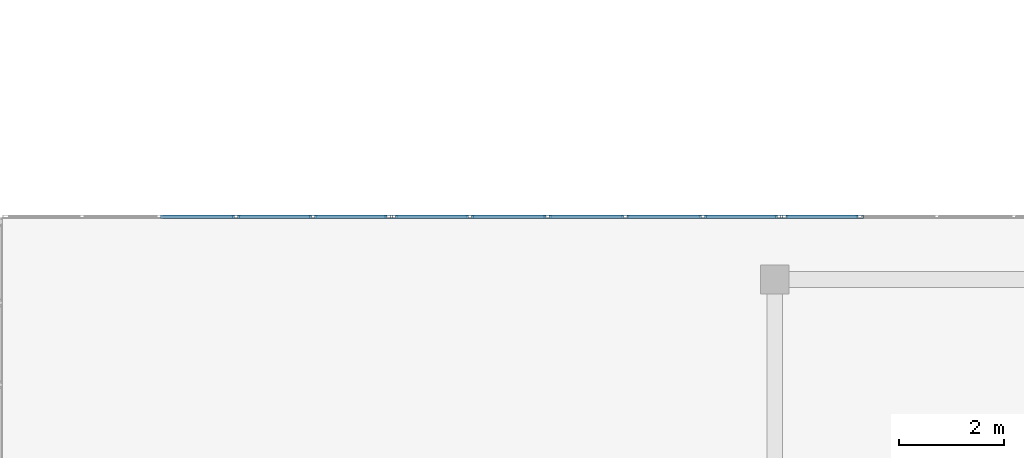
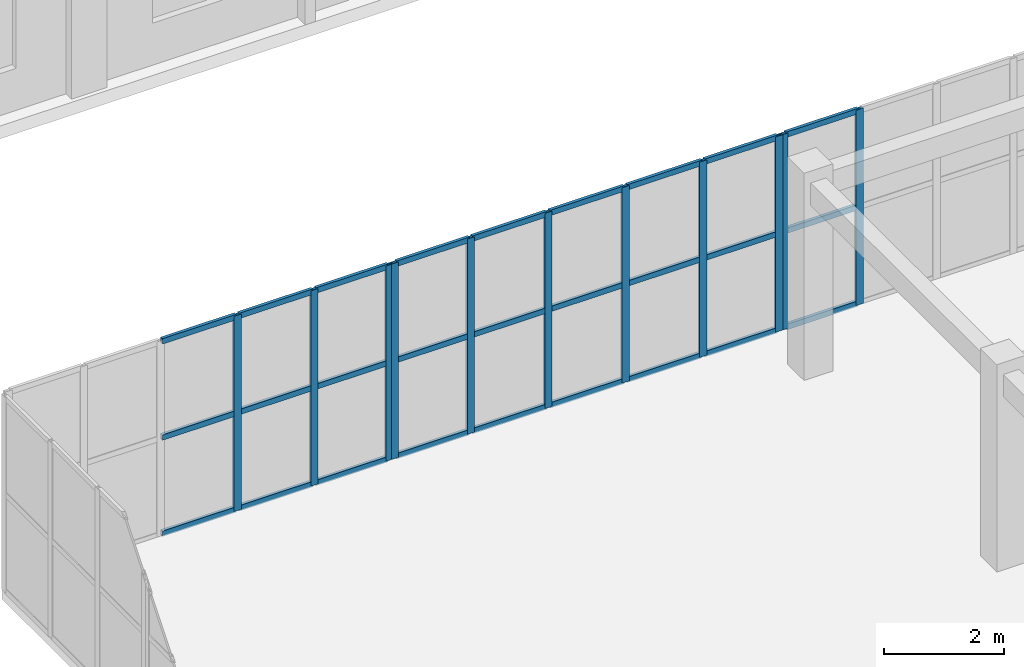
# One storey, part 76 of 140: 38 members, 3 elements without a shape of their own.
"""IFC4 building model written with IfcOpenShell, lengths in metres."""

from ifc_helpers import new_model, si_unit, direction, frame, origin, origin_2d, place, context, subcontext, project, spatial, hollow_rectangle, extrude, material, layer, layer_set, material_profile, profile_set, type_object, element, aggregate, save


model = new_model("IFC4")

# Units and contexts
model_context = context("Model", 3, precision=1e-05, world=origin(), true_north=direction((0.0, 1.0)))
body_context = subcontext(model_context, "Body", "Model", "MODEL_VIEW")
ifc_project = project(units=[si_unit("LENGTHUNIT", "METRE"), si_unit("AREAUNIT", "SQUARE_METRE"), si_unit("VOLUMEUNIT", "CUBIC_METRE"), si_unit("PLANEANGLEUNIT", "RADIAN"), si_unit("MASSUNIT", "GRAM", prefix="KILO")], contexts=[model_context])

# Site, building, storey
site_placement = place(None, origin())
site = spatial("IfcSite", under=ifc_project, at=site_placement, CompositionType="ELEMENT")
building_placement = place(site_placement, origin())
building = spatial("IfcBuilding", under=site, at=building_placement, Name="Trelvath General Hospital", CompositionType="ELEMENT")
storey_placement = place(building_placement, frame((0.0, 0.0, 16.199951171875)))
storey = spatial("IfcBuildingStorey", under=building, at=storey_placement, Name="L04", CompositionType="ELEMENT", Elevation=16.199951171875)

# Curtain wall, members
ifc_material_1 = material(Name="Anodised aluminium and low-E glass", Category="aluminium")
ifc_layer_1 = layer(ifc_material_1, 0.139892578125)
ifc_layer_set_1 = layer_set([ifc_layer_1], Name="Anodised aluminium and low-E glass")
curtain_wall_type_1 = type_object("IfcCurtainWallType", Name="CW CrystalCube 737 396 14", PredefinedType="USERDEFINED", material=ifc_layer_set_1)
curtain_wall_1_placement = place(storey_placement, origin())
curtain_wall_1 = element("IfcCurtainWall", 1, at=curtain_wall_1_placement, inside=storey, type_object=curtain_wall_type_1, Name="Crystal Cube Curtain Wall CUBE-E-T1 N1 L04", ObjectType="Unitised Glazed Curtain Wall", PredefinedType="USERDEFINED")
ifc_material_2 = material(Name="Anodised aluminium", Category="aluminium")
ifc_material_profile_1 = material_profile(ifc_material_2, hollow_rectangle(XDim=0.06005859375, YDim=0.139892578125, WallThickness=0.00390625, at=origin_2d()), Name="RHS60x140x4")
ifc_profile_set_1 = profile_set([ifc_material_profile_1], Name="Anodised aluminium")
member_type_1 = type_object("IfcMemberType", Name="CurtainMullion 60x140", PredefinedType="MULLION", material=ifc_profile_set_1)
member_1_placement = place(storey_placement, frame((96.89990234375, 80.39990234375, 0.0), z_axis=(0.0, 0.0, 1.0), x_axis=(0.0, 1.0, 0.0)))
member_1 = element("IfcMember", 2, at=member_1_placement, type_object=member_type_1, Name="CW-285 mullion 4", PredefinedType="MULLION", context=body_context, shape_type="SweptSolid", body=[
    extrude(hollow_rectangle(XDim=0.06005859375, YDim=0.139892578125, WallThickness=0.00390625, at=origin_2d()), origin(), (0.0, 0.0, 1.0), 3.9599609375),
])
member_2_placement = place(storey_placement, frame((98.373291015625, 80.39990234375, 0.0), z_axis=(0.0, 0.0, 1.0), x_axis=(0.0, 1.0, 0.0)))
member_2 = element("IfcMember", 3, at=member_2_placement, type_object=member_type_1, Name="CW-285 mullion 5", PredefinedType="MULLION", context=body_context, shape_type="SweptSolid", body=[
    extrude(hollow_rectangle(XDim=0.06005859375, YDim=0.139892578125, WallThickness=0.00390625, at=origin_2d()), origin(), (0.0, 0.0, 1.0), 3.9599609375),
])
member_3_placement = place(storey_placement, frame((99.816650390625, 80.39990234375, 0.0), z_axis=(0.0, 0.0, 1.0), x_axis=(0.0, 1.0, 0.0)))
member_3 = element("IfcMember", 4, at=member_3_placement, type_object=member_type_1, Name="CW-285 mullion 6", PredefinedType="MULLION", context=body_context, shape_type="SweptSolid", body=[
    extrude(hollow_rectangle(XDim=0.06005859375, YDim=0.139892578125, WallThickness=0.00390625, at=origin_2d()), origin(), (0.0, 0.0, 1.0), 3.9599609375),
])

ifc_material_3 = material(Name="Anodised aluminium and low-E glass", Category="aluminium")
ifc_layer_2 = layer(ifc_material_3, 0.139892578125)
ifc_layer_set_2 = layer_set([ifc_layer_2], Name="Anodised aluminium and low-E glass")
curtain_wall_type_2 = type_object("IfcCurtainWallType", Name="CW CrystalCube 743 396 14", PredefinedType="USERDEFINED", material=ifc_layer_set_2)
curtain_wall_2_placement = place(storey_placement, origin())
curtain_wall_2 = element("IfcCurtainWall", 5, at=curtain_wall_2_placement, inside=storey, type_object=curtain_wall_type_2, Name="Crystal Cube Curtain Wall CUBE-E-T1 N2 L04", ObjectType="Unitised Glazed Curtain Wall", PredefinedType="USERDEFINED")
member_4_placement = place(storey_placement, frame((99.916748046875, 80.39990234375, 0.0), z_axis=(0.0, 0.0, 1.0), x_axis=(0.0, 1.0, 0.0)))
member_4 = element("IfcMember", 6, at=member_4_placement, type_object=member_type_1, Name="CW-286 mullion 1", PredefinedType="MULLION", context=body_context, shape_type="SweptSolid", body=[
    extrude(hollow_rectangle(XDim=0.06005859375, YDim=0.139892578125, WallThickness=0.00390625, at=origin_2d()), origin(), (0.0, 0.0, 1.0), 3.9599609375),
])
member_5_placement = place(storey_placement, frame((101.3720703125, 80.39990234375, 0.0), z_axis=(0.0, 0.0, 1.0), x_axis=(0.0, 1.0, 0.0)))
member_5 = element("IfcMember", 7, at=member_5_placement, type_object=member_type_1, Name="CW-286 mullion 2", PredefinedType="MULLION", context=body_context, shape_type="SweptSolid", body=[
    extrude(hollow_rectangle(XDim=0.06005859375, YDim=0.139892578125, WallThickness=0.00390625, at=origin_2d()), origin(), (0.0, 0.0, 1.0), 3.9599609375),
])
member_6_placement = place(storey_placement, frame((102.857421875, 80.39990234375, 0.0), z_axis=(0.0, 0.0, 1.0), x_axis=(0.0, 1.0, 0.0)))
member_6 = element("IfcMember", 8, at=member_6_placement, type_object=member_type_1, Name="CW-286 mullion 3", PredefinedType="MULLION", context=body_context, shape_type="SweptSolid", body=[
    extrude(hollow_rectangle(XDim=0.06005859375, YDim=0.139892578125, WallThickness=0.00390625, at=origin_2d()), origin(), (0.0, 0.0, 1.0), 3.9599609375),
])
member_7_placement = place(storey_placement, frame((104.3427734375, 80.39990234375, 0.0), z_axis=(0.0, 0.0, 1.0), x_axis=(0.0, 1.0, 0.0)))
member_7 = element("IfcMember", 9, at=member_7_placement, type_object=member_type_1, Name="CW-286 mullion 4", PredefinedType="MULLION", context=body_context, shape_type="SweptSolid", body=[
    extrude(hollow_rectangle(XDim=0.06005859375, YDim=0.139892578125, WallThickness=0.00390625, at=origin_2d()), origin(), (0.0, 0.0, 1.0), 3.9599609375),
])
member_8_placement = place(storey_placement, frame((105.827880859375, 80.39990234375, 0.0), z_axis=(0.0, 0.0, 1.0), x_axis=(0.0, 1.0, 0.0)))
member_8 = element("IfcMember", 10, at=member_8_placement, type_object=member_type_1, Name="CW-286 mullion 5", PredefinedType="MULLION", context=body_context, shape_type="SweptSolid", body=[
    extrude(hollow_rectangle(XDim=0.06005859375, YDim=0.139892578125, WallThickness=0.00390625, at=origin_2d()), origin(), (0.0, 0.0, 1.0), 3.9599609375),
])
member_9_placement = place(storey_placement, frame((107.283203125, 80.39990234375, 0.0), z_axis=(0.0, 0.0, 1.0), x_axis=(0.0, 1.0, 0.0)))
member_9 = element("IfcMember", 11, at=member_9_placement, type_object=member_type_1, Name="CW-286 mullion 6", PredefinedType="MULLION", context=body_context, shape_type="SweptSolid", body=[
    extrude(hollow_rectangle(XDim=0.06005859375, YDim=0.139892578125, WallThickness=0.00390625, at=origin_2d()), origin(), (0.0, 0.0, 1.0), 3.9599609375),
])

curtain_wall_3_placement = place(storey_placement, origin())
curtain_wall_3 = element("IfcCurtainWall", 12, at=curtain_wall_3_placement, inside=storey, type_object=curtain_wall_type_1, Name="Crystal Cube Curtain Wall CUBE-E-T1 N3 L04", ObjectType="Unitised Glazed Curtain Wall", PredefinedType="USERDEFINED")
member_10_placement = place(storey_placement, frame((107.38330078125, 80.39990234375, 0.0), z_axis=(0.0, 0.0, 1.0), x_axis=(0.0, 1.0, 0.0)))
member_10 = element("IfcMember", 13, at=member_10_placement, type_object=member_type_1, Name="CW-287 mullion 1", PredefinedType="MULLION", context=body_context, shape_type="SweptSolid", body=[
    extrude(hollow_rectangle(XDim=0.06005859375, YDim=0.139892578125, WallThickness=0.00390625, at=origin_2d()), origin(), (0.0, 0.0, 1.0), 3.9599609375),
])
member_11_placement = place(storey_placement, frame((108.82666015625, 80.39990234375, 0.0), z_axis=(0.0, 0.0, 1.0), x_axis=(0.0, 1.0, 0.0)))
member_11 = element("IfcMember", 14, at=member_11_placement, type_object=member_type_1, Name="CW-287 mullion 2", PredefinedType="MULLION", context=body_context, shape_type="SweptSolid", body=[
    extrude(hollow_rectangle(XDim=0.06005859375, YDim=0.139892578125, WallThickness=0.00390625, at=origin_2d()), origin(), (0.0, 0.0, 1.0), 3.9599609375),
])

# Member
ifc_material_4 = material(Name="Anodised aluminium", Category="aluminium")
ifc_material_profile_2 = material_profile(ifc_material_4, hollow_rectangle(XDim=0.06005859375, YDim=0.110107421875, WallThickness=0.00390625, at=origin_2d()), Name="RHS60x110x4")
ifc_profile_set_2 = profile_set([ifc_material_profile_2], Name="Anodised aluminium")
member_type_2 = type_object("IfcMemberType", Name="CurtainTransom 60x110", PredefinedType="USERDEFINED", material=ifc_profile_set_2)
member_12_placement = place(storey_placement, frame((95.456787109375, 80.39990234375, 0.030029296875), z_axis=(1.0, 0.0, 0.0), x_axis=(0.0, 1.0, 0.0)))
member_12 = element("IfcMember", 15, at=member_12_placement, type_object=member_type_2, Name="CW-285 transom 3.1", ObjectType="TRANSOM", PredefinedType="USERDEFINED", context=body_context, shape_type="SweptSolid", body=[
    extrude(hollow_rectangle(XDim=0.06005859375, YDim=0.110107421875, WallThickness=0.00390625, at=origin_2d()), origin(), (0.0, 0.0, 1.0), 1.413330078125),
])

member_13_placement = place(storey_placement, frame((95.456787109375, 80.39990234375, 1.97998046875), z_axis=(1.0, 0.0, 0.0), x_axis=(0.0, 1.0, 0.0)))
member_13 = element("IfcMember", 16, at=member_13_placement, type_object=member_type_2, Name="CW-285 transom 3.2", ObjectType="TRANSOM", PredefinedType="USERDEFINED", context=body_context, shape_type="SweptSolid", body=[
    extrude(hollow_rectangle(XDim=0.06005859375, YDim=0.110107421875, WallThickness=0.00390625, at=origin_2d()), origin(), (0.0, 0.0, 1.0), 1.413330078125),
])

member_14_placement = place(storey_placement, frame((95.456787109375, 80.39990234375, 3.929931640625), z_axis=(1.0, 0.0, 0.0), x_axis=(0.0, 1.0, 0.0)))
member_14 = element("IfcMember", 17, at=member_14_placement, type_object=member_type_2, Name="CW-285 transom 3.3", ObjectType="TRANSOM", PredefinedType="USERDEFINED", context=body_context, shape_type="SweptSolid", body=[
    extrude(hollow_rectangle(XDim=0.06005859375, YDim=0.110107421875, WallThickness=0.00390625, at=origin_2d()), origin(), (0.0, 0.0, 1.0), 1.413330078125),
])

member_15_placement = place(storey_placement, frame((96.929931640625, 80.39990234375, 0.030029296875), z_axis=(1.0, 0.0, 0.0), x_axis=(0.0, 1.0, 0.0)))
member_15 = element("IfcMember", 18, at=member_15_placement, type_object=member_type_2, Name="CW-285 transom 4.1", ObjectType="TRANSOM", PredefinedType="USERDEFINED", context=body_context, shape_type="SweptSolid", body=[
    extrude(hollow_rectangle(XDim=0.06005859375, YDim=0.110107421875, WallThickness=0.00390625, at=origin_2d()), origin(), (0.0, 0.0, 1.0), 1.413330078125),
])

member_16_placement = place(storey_placement, frame((96.929931640625, 80.39990234375, 1.97998046875), z_axis=(1.0, 0.0, 0.0), x_axis=(0.0, 1.0, 0.0)))
member_16 = element("IfcMember", 19, at=member_16_placement, type_object=member_type_2, Name="CW-285 transom 4.2", ObjectType="TRANSOM", PredefinedType="USERDEFINED", context=body_context, shape_type="SweptSolid", body=[
    extrude(hollow_rectangle(XDim=0.06005859375, YDim=0.110107421875, WallThickness=0.00390625, at=origin_2d()), origin(), (0.0, 0.0, 1.0), 1.413330078125),
])

member_17_placement = place(storey_placement, frame((96.929931640625, 80.39990234375, 3.929931640625), z_axis=(1.0, 0.0, 0.0), x_axis=(0.0, 1.0, 0.0)))
member_17 = element("IfcMember", 20, at=member_17_placement, type_object=member_type_2, Name="CW-285 transom 4.3", ObjectType="TRANSOM", PredefinedType="USERDEFINED", context=body_context, shape_type="SweptSolid", body=[
    extrude(hollow_rectangle(XDim=0.06005859375, YDim=0.110107421875, WallThickness=0.00390625, at=origin_2d()), origin(), (0.0, 0.0, 1.0), 1.413330078125),
])

member_18_placement = place(storey_placement, frame((98.4033203125, 80.39990234375, 0.030029296875), z_axis=(1.0, 0.0, 0.0), x_axis=(0.0, 1.0, 0.0)))
member_18 = element("IfcMember", 21, at=member_18_placement, type_object=member_type_2, Name="CW-285 transom 5.1", ObjectType="TRANSOM", PredefinedType="USERDEFINED", context=body_context, shape_type="SweptSolid", body=[
    extrude(hollow_rectangle(XDim=0.06005859375, YDim=0.110107421875, WallThickness=0.00390625, at=origin_2d()), origin(), (0.0, 0.0, 1.0), 1.38330078125),
])

member_19_placement = place(storey_placement, frame((98.4033203125, 80.39990234375, 1.97998046875), z_axis=(1.0, 0.0, 0.0), x_axis=(0.0, 1.0, 0.0)))
member_19 = element("IfcMember", 22, at=member_19_placement, type_object=member_type_2, Name="CW-285 transom 5.2", ObjectType="TRANSOM", PredefinedType="USERDEFINED", context=body_context, shape_type="SweptSolid", body=[
    extrude(hollow_rectangle(XDim=0.06005859375, YDim=0.110107421875, WallThickness=0.00390625, at=origin_2d()), origin(), (0.0, 0.0, 1.0), 1.38330078125),
])

member_20_placement = place(storey_placement, frame((98.4033203125, 80.39990234375, 3.929931640625), z_axis=(1.0, 0.0, 0.0), x_axis=(0.0, 1.0, 0.0)))
member_20 = element("IfcMember", 23, at=member_20_placement, type_object=member_type_2, Name="CW-285 transom 5.3", ObjectType="TRANSOM", PredefinedType="USERDEFINED", context=body_context, shape_type="SweptSolid", body=[
    extrude(hollow_rectangle(XDim=0.06005859375, YDim=0.110107421875, WallThickness=0.00390625, at=origin_2d()), origin(), (0.0, 0.0, 1.0), 1.38330078125),
])

aggregate(curtain_wall_1, [member_1, member_2, member_3, member_12, member_13, member_14, member_15, member_16, member_17, member_18, member_19, member_20])

member_21_placement = place(storey_placement, frame((99.94677734375, 80.39990234375, 0.030029296875), z_axis=(1.0, 0.0, 0.0), x_axis=(0.0, 1.0, 0.0)))
member_21 = element("IfcMember", 24, at=member_21_placement, type_object=member_type_2, Name="CW-286 transom 1.1", ObjectType="TRANSOM", PredefinedType="USERDEFINED", context=body_context, shape_type="SweptSolid", body=[
    extrude(hollow_rectangle(XDim=0.06005859375, YDim=0.110107421875, WallThickness=0.00390625, at=origin_2d()), origin(), (0.0, 0.0, 1.0), 1.395263671875),
])

member_22_placement = place(storey_placement, frame((99.94677734375, 80.39990234375, 1.97998046875), z_axis=(1.0, 0.0, 0.0), x_axis=(0.0, 1.0, 0.0)))
member_22 = element("IfcMember", 25, at=member_22_placement, type_object=member_type_2, Name="CW-286 transom 1.2", ObjectType="TRANSOM", PredefinedType="USERDEFINED", context=body_context, shape_type="SweptSolid", body=[
    extrude(hollow_rectangle(XDim=0.06005859375, YDim=0.110107421875, WallThickness=0.00390625, at=origin_2d()), origin(), (0.0, 0.0, 1.0), 1.395263671875),
])

member_23_placement = place(storey_placement, frame((99.94677734375, 80.39990234375, 3.929931640625), z_axis=(1.0, 0.0, 0.0), x_axis=(0.0, 1.0, 0.0)))
member_23 = element("IfcMember", 26, at=member_23_placement, type_object=member_type_2, Name="CW-286 transom 1.3", ObjectType="TRANSOM", PredefinedType="USERDEFINED", context=body_context, shape_type="SweptSolid", body=[
    extrude(hollow_rectangle(XDim=0.06005859375, YDim=0.110107421875, WallThickness=0.00390625, at=origin_2d()), origin(), (0.0, 0.0, 1.0), 1.395263671875),
])

member_24_placement = place(storey_placement, frame((101.402099609375, 80.39990234375, 0.030029296875), z_axis=(1.0, 0.0, 0.0), x_axis=(0.0, 1.0, 0.0)))
member_24 = element("IfcMember", 27, at=member_24_placement, type_object=member_type_2, Name="CW-286 transom 2.1", ObjectType="TRANSOM", PredefinedType="USERDEFINED", context=body_context, shape_type="SweptSolid", body=[
    extrude(hollow_rectangle(XDim=0.06005859375, YDim=0.110107421875, WallThickness=0.00390625, at=origin_2d()), origin(), (0.0, 0.0, 1.0), 1.42529296875),
])

member_25_placement = place(storey_placement, frame((101.402099609375, 80.39990234375, 1.97998046875), z_axis=(1.0, 0.0, 0.0), x_axis=(0.0, 1.0, 0.0)))
member_25 = element("IfcMember", 28, at=member_25_placement, type_object=member_type_2, Name="CW-286 transom 2.2", ObjectType="TRANSOM", PredefinedType="USERDEFINED", context=body_context, shape_type="SweptSolid", body=[
    extrude(hollow_rectangle(XDim=0.06005859375, YDim=0.110107421875, WallThickness=0.00390625, at=origin_2d()), origin(), (0.0, 0.0, 1.0), 1.42529296875),
])

member_26_placement = place(storey_placement, frame((101.402099609375, 80.39990234375, 3.929931640625), z_axis=(1.0, 0.0, 0.0), x_axis=(0.0, 1.0, 0.0)))
member_26 = element("IfcMember", 29, at=member_26_placement, type_object=member_type_2, Name="CW-286 transom 2.3", ObjectType="TRANSOM", PredefinedType="USERDEFINED", context=body_context, shape_type="SweptSolid", body=[
    extrude(hollow_rectangle(XDim=0.06005859375, YDim=0.110107421875, WallThickness=0.00390625, at=origin_2d()), origin(), (0.0, 0.0, 1.0), 1.42529296875),
])

member_27_placement = place(storey_placement, frame((102.887451171875, 80.39990234375, 0.030029296875), z_axis=(1.0, 0.0, 0.0), x_axis=(0.0, 1.0, 0.0)))
member_27 = element("IfcMember", 30, at=member_27_placement, type_object=member_type_2, Name="CW-286 transom 3.1", ObjectType="TRANSOM", PredefinedType="USERDEFINED", context=body_context, shape_type="SweptSolid", body=[
    extrude(hollow_rectangle(XDim=0.06005859375, YDim=0.110107421875, WallThickness=0.00390625, at=origin_2d()), origin(), (0.0, 0.0, 1.0), 1.42529296875),
])

member_28_placement = place(storey_placement, frame((102.887451171875, 80.39990234375, 1.97998046875), z_axis=(1.0, 0.0, 0.0), x_axis=(0.0, 1.0, 0.0)))
member_28 = element("IfcMember", 31, at=member_28_placement, type_object=member_type_2, Name="CW-286 transom 3.2", ObjectType="TRANSOM", PredefinedType="USERDEFINED", context=body_context, shape_type="SweptSolid", body=[
    extrude(hollow_rectangle(XDim=0.06005859375, YDim=0.110107421875, WallThickness=0.00390625, at=origin_2d()), origin(), (0.0, 0.0, 1.0), 1.42529296875),
])

member_29_placement = place(storey_placement, frame((102.887451171875, 80.39990234375, 3.929931640625), z_axis=(1.0, 0.0, 0.0), x_axis=(0.0, 1.0, 0.0)))
member_29 = element("IfcMember", 32, at=member_29_placement, type_object=member_type_2, Name="CW-286 transom 3.3", ObjectType="TRANSOM", PredefinedType="USERDEFINED", context=body_context, shape_type="SweptSolid", body=[
    extrude(hollow_rectangle(XDim=0.06005859375, YDim=0.110107421875, WallThickness=0.00390625, at=origin_2d()), origin(), (0.0, 0.0, 1.0), 1.42529296875),
])

member_30_placement = place(storey_placement, frame((104.37255859375, 80.39990234375, 0.030029296875), z_axis=(1.0, 0.0, 0.0), x_axis=(0.0, 1.0, 0.0)))
member_30 = element("IfcMember", 33, at=member_30_placement, type_object=member_type_2, Name="CW-286 transom 4.1", ObjectType="TRANSOM", PredefinedType="USERDEFINED", context=body_context, shape_type="SweptSolid", body=[
    extrude(hollow_rectangle(XDim=0.06005859375, YDim=0.110107421875, WallThickness=0.00390625, at=origin_2d()), origin(), (0.0, 0.0, 1.0), 1.425537109375),
])

member_31_placement = place(storey_placement, frame((104.37255859375, 80.39990234375, 1.97998046875), z_axis=(1.0, 0.0, 0.0), x_axis=(0.0, 1.0, 0.0)))
member_31 = element("IfcMember", 34, at=member_31_placement, type_object=member_type_2, Name="CW-286 transom 4.2", ObjectType="TRANSOM", PredefinedType="USERDEFINED", context=body_context, shape_type="SweptSolid", body=[
    extrude(hollow_rectangle(XDim=0.06005859375, YDim=0.110107421875, WallThickness=0.00390625, at=origin_2d()), origin(), (0.0, 0.0, 1.0), 1.425537109375),
])

member_32_placement = place(storey_placement, frame((104.37255859375, 80.39990234375, 3.929931640625), z_axis=(1.0, 0.0, 0.0), x_axis=(0.0, 1.0, 0.0)))
member_32 = element("IfcMember", 35, at=member_32_placement, type_object=member_type_2, Name="CW-286 transom 4.3", ObjectType="TRANSOM", PredefinedType="USERDEFINED", context=body_context, shape_type="SweptSolid", body=[
    extrude(hollow_rectangle(XDim=0.06005859375, YDim=0.110107421875, WallThickness=0.00390625, at=origin_2d()), origin(), (0.0, 0.0, 1.0), 1.425537109375),
])

member_33_placement = place(storey_placement, frame((105.85791015625, 80.39990234375, 0.030029296875), z_axis=(1.0, 0.0, 0.0), x_axis=(0.0, 1.0, 0.0)))
member_33 = element("IfcMember", 36, at=member_33_placement, type_object=member_type_2, Name="CW-286 transom 5.1", ObjectType="TRANSOM", PredefinedType="USERDEFINED", context=body_context, shape_type="SweptSolid", body=[
    extrude(hollow_rectangle(XDim=0.06005859375, YDim=0.110107421875, WallThickness=0.00390625, at=origin_2d()), origin(), (0.0, 0.0, 1.0), 1.3955078125),
])

member_34_placement = place(storey_placement, frame((105.85791015625, 80.39990234375, 1.97998046875), z_axis=(1.0, 0.0, 0.0), x_axis=(0.0, 1.0, 0.0)))
member_34 = element("IfcMember", 37, at=member_34_placement, type_object=member_type_2, Name="CW-286 transom 5.2", ObjectType="TRANSOM", PredefinedType="USERDEFINED", context=body_context, shape_type="SweptSolid", body=[
    extrude(hollow_rectangle(XDim=0.06005859375, YDim=0.110107421875, WallThickness=0.00390625, at=origin_2d()), origin(), (0.0, 0.0, 1.0), 1.3955078125),
])

member_35_placement = place(storey_placement, frame((105.85791015625, 80.39990234375, 3.929931640625), z_axis=(1.0, 0.0, 0.0), x_axis=(0.0, 1.0, 0.0)))
member_35 = element("IfcMember", 38, at=member_35_placement, type_object=member_type_2, Name="CW-286 transom 5.3", ObjectType="TRANSOM", PredefinedType="USERDEFINED", context=body_context, shape_type="SweptSolid", body=[
    extrude(hollow_rectangle(XDim=0.06005859375, YDim=0.110107421875, WallThickness=0.00390625, at=origin_2d()), origin(), (0.0, 0.0, 1.0), 1.3955078125),
])

aggregate(curtain_wall_2, [member_4, member_5, member_6, member_7, member_8, member_9, member_21, member_22, member_23, member_24, member_25, member_26, member_27, member_28, member_29, member_30, member_31, member_32, member_33, member_34, member_35])

member_36_placement = place(storey_placement, frame((107.413330078125, 80.39990234375, 0.030029296875), z_axis=(1.0, 0.0, 0.0), x_axis=(0.0, 1.0, 0.0)))
member_36 = element("IfcMember", 39, at=member_36_placement, type_object=member_type_2, Name="CW-287 transom 1.1", ObjectType="TRANSOM", PredefinedType="USERDEFINED", context=body_context, shape_type="SweptSolid", body=[
    extrude(hollow_rectangle(XDim=0.06005859375, YDim=0.110107421875, WallThickness=0.00390625, at=origin_2d()), origin(), (0.0, 0.0, 1.0), 1.38330078125),
])

member_37_placement = place(storey_placement, frame((107.413330078125, 80.39990234375, 1.97998046875), z_axis=(1.0, 0.0, 0.0), x_axis=(0.0, 1.0, 0.0)))
member_37 = element("IfcMember", 40, at=member_37_placement, type_object=member_type_2, Name="CW-287 transom 1.2", ObjectType="TRANSOM", PredefinedType="USERDEFINED", context=body_context, shape_type="SweptSolid", body=[
    extrude(hollow_rectangle(XDim=0.06005859375, YDim=0.110107421875, WallThickness=0.00390625, at=origin_2d()), origin(), (0.0, 0.0, 1.0), 1.38330078125),
])

member_38_placement = place(storey_placement, frame((107.413330078125, 80.39990234375, 3.929931640625), z_axis=(1.0, 0.0, 0.0), x_axis=(0.0, 1.0, 0.0)))
member_38 = element("IfcMember", 41, at=member_38_placement, type_object=member_type_2, Name="CW-287 transom 1.3", ObjectType="TRANSOM", PredefinedType="USERDEFINED", context=body_context, shape_type="SweptSolid", body=[
    extrude(hollow_rectangle(XDim=0.06005859375, YDim=0.110107421875, WallThickness=0.00390625, at=origin_2d()), origin(), (0.0, 0.0, 1.0), 1.38330078125),
])

aggregate(curtain_wall_3, [member_10, member_11, member_36, member_37, member_38])

save(model, "model.ifc")
